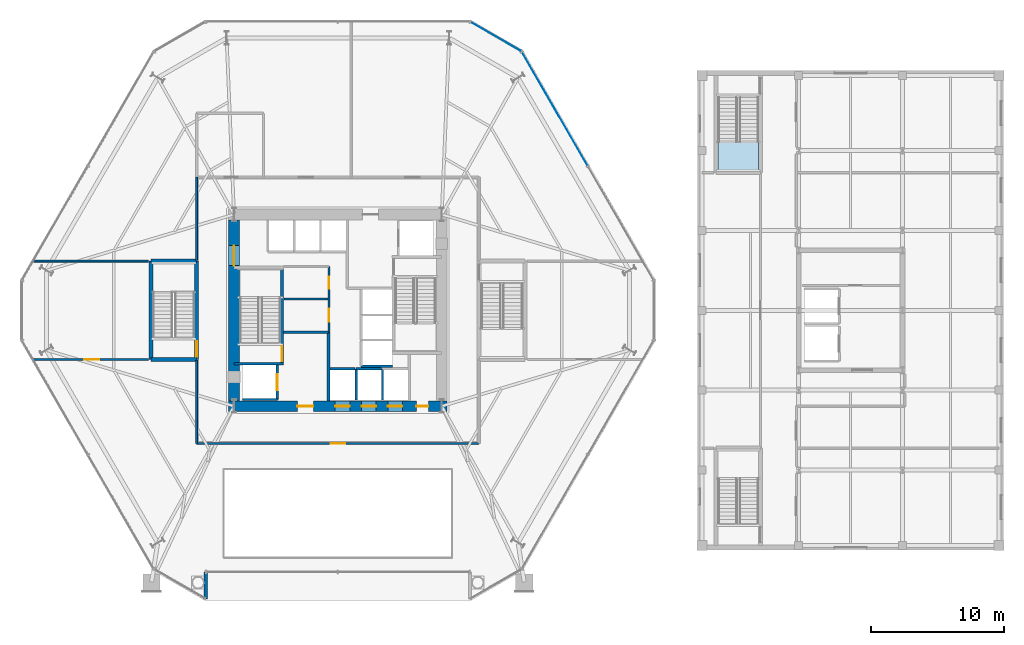
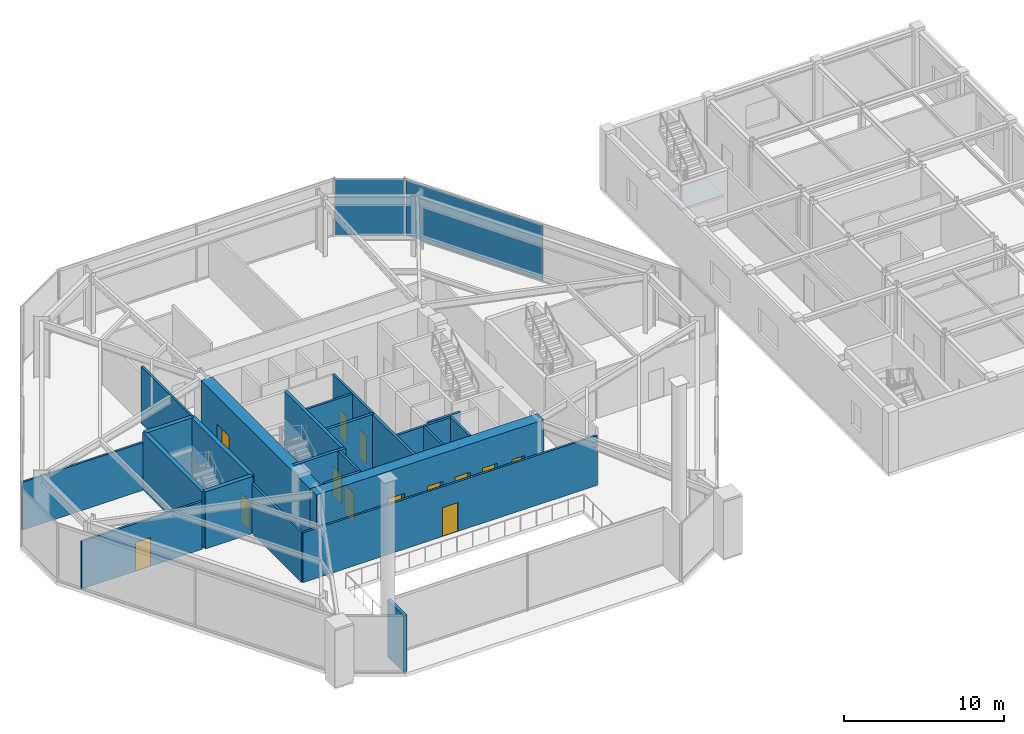
# One storey, part 15 of 22: 25 walls, 13 doors, 2 plates, 1 slab, 13 openings, 3 elements without a shape of their own.
"""IFC4 building model written with IfcOpenShell, lengths in metres."""

from ifc_helpers import new_model, si_unit, direction, frame, frame_2d, origin, origin_2d, place, context, subcontext, project, spatial, polyline, rectangle, outline, extrude, material, layer, layer_set, type_object, element, fill, aggregate, save


model = new_model("IFC4")

# Units and contexts
model_context = context("Model", 3, precision=1e-05, world=origin(), true_north=direction((0.0, 1.0)))
body_context = subcontext(model_context, "Body", "Model", "MODEL_VIEW")
ifc_project = project(units=[si_unit("LENGTHUNIT", "METRE"), si_unit("AREAUNIT", "SQUARE_METRE"), si_unit("VOLUMEUNIT", "CUBIC_METRE"), si_unit("PLANEANGLEUNIT", "RADIAN"), si_unit("MASSUNIT", "GRAM", prefix="KILO")], contexts=[model_context])

# Site, building, storey
site_placement = place(None, origin())
site = spatial("IfcSite", under=ifc_project, at=site_placement, CompositionType="ELEMENT")
building_placement = place(site_placement, origin())
building = spatial("IfcBuilding", under=site, at=building_placement, Name="Kranzbogen Civic Tower", CompositionType="ELEMENT")
storey_placement = place(building_placement, frame((0.0, 0.0, 5.199951171875)))
storey = spatial("IfcBuildingStorey", under=building, at=storey_placement, Name="L01", CompositionType="ELEMENT", Elevation=5.199951171875)

# Curtain wall, plate
ifc_material_1 = material(Name="Pale Anodised Aluminium", Category="aluminium")
ifc_layer_1 = layer(ifc_material_1, 0.219970703125, Name="Pale Anodised Aluminium")
ifc_layer_set_1 = layer_set([ifc_layer_1], Name="Pale Anodised Aluminium")
curtain_wall_type_1 = type_object("IfcCurtainWallType", Name="Chamfer Facet Stick Curtain Wall System CW-06", PredefinedType="USERDEFINED", material=ifc_layer_set_1)
curtain_wall_1_placement = place(storey_placement, origin())
curtain_wall_1 = element("IfcCurtainWall", 1, at=curtain_wall_1_placement, inside=storey, type_object=curtain_wall_type_1, Name="L01 curtain wall CW-L01-C1", ObjectType="STICK CURTAIN WALL", PredefinedType="USERDEFINED")
ifc_material_2 = material(Name="Low-E Triple Glazing Glass", Category="glass")
ifc_layer_2 = layer(ifc_material_2, 0.02587890625, Name="Low-E Triple Glazing Glass")
ifc_layer_set_2 = layer_set([ifc_layer_2], Name="Low-E Triple Glazing Glass")
plate_type_1 = type_object("IfcPlateType", Name="Insulated Low-E Glazing Panel 26 mm", PredefinedType="CURTAIN_PANEL", material=ifc_layer_set_2)
plate_1_placement = place(storey_placement, frame((36.866943359375, 45.554443359375, 0.06005859375), z_axis=(0.0, 0.0, 1.0), x_axis=(-0.865992001897, 0.500057849305, 0.0)))
plate_1 = element("IfcPlate", 2, at=plate_1_placement, type_object=plate_type_1, Name="CW-06 panel 1.1", PredefinedType="CURTAIN_PANEL", context=body_context, shape_type="SweptSolid", body=[
    extrude(rectangle(XDim=4.353515625, YDim=0.028076171875, at=origin_2d()), origin(), (0.0, 0.0, 1.0), 4.219970703125),
])
aggregate(curtain_wall_1, [plate_1])

ifc_layer_3 = layer(ifc_material_1, 0.219970703125, Name="Pale Anodised Aluminium")
ifc_layer_set_3 = layer_set([ifc_layer_3], Name="Pale Anodised Aluminium")
curtain_wall_type_2 = type_object("IfcCurtainWallType", Name="Podium Stick Curtain Wall System CW-01", PredefinedType="USERDEFINED", material=ifc_layer_set_3)
curtain_wall_2_placement = place(storey_placement, origin())
curtain_wall_2 = element("IfcCurtainWall", 3, at=curtain_wall_2_placement, inside=storey, type_object=curtain_wall_type_2, Name="L01 curtain wall CW-L01-F1", ObjectType="STICK CURTAIN WALL", PredefinedType="USERDEFINED")
ifc_layer_4 = layer(ifc_material_2, 0.035888671875, Name="Low-E Triple Glazing Glass")
ifc_layer_set_4 = layer_set([ifc_layer_4], Name="Low-E Triple Glazing Glass")
plate_type_2 = type_object("IfcPlateType", Name="Insulated Low-E Glazing Panel 36 mm", PredefinedType="CURTAIN_PANEL", material=ifc_layer_set_4)
plate_2_placement = place(storey_placement, frame((41.2939453125, 40.123291015625, 0.06005859375), z_axis=(0.0, 0.0, 1.0), x_axis=(-0.500005767433, 0.86602207393, 0.0)))
plate_2 = element("IfcPlate", 4, at=plate_2_placement, type_object=plate_type_2, Name="CW-01 panel 2.1", PredefinedType="CURTAIN_PANEL", context=body_context, shape_type="SweptSolid", body=[
    extrude(rectangle(XDim=9.83984375, YDim=0.028076171875, at=origin_2d()), origin(), (0.0, 0.0, 1.0), 4.219970703125),
])
aggregate(curtain_wall_2, [plate_2])

# Stair, slab
ifc_material_3 = material(Name="Precast concrete C40/50", Category="concrete")
stair_type = type_object("IfcStairType", Name="Health Centre Escape Dogleg Stair 1450", PredefinedType="HALF_TURN_STAIR", material=ifc_material_3)
stair_placement = place(storey_placement, origin())
stair = element("IfcStair", 5, at=stair_placement, inside=storey, type_object=stair_type, Name="L01 Health Centre Escape Stair 2", PredefinedType="HALF_TURN_STAIR")
ifc_layer_5 = layer(ifc_material_3, 0.199951171875, Name="Precast concrete C40/50")
ifc_layer_set_5 = layer_set([ifc_layer_5], Name="Precast concrete C40/50")
slab_type = type_object("IfcSlabType", Name="Precast Concrete Stair Landing Slab 200 mm", PredefinedType="LANDING", material=ifc_layer_set_5)
slab_placement = place(storey_placement, frame((0.0, 0.0, 2.10009765625)))
slab = element("IfcSlab", 6, at=slab_placement, type_object=slab_type, Name="ST-H2 landing 1", PredefinedType="LANDING", context=body_context, shape_type="SweptSolid", body=[
    extrude(outline(polyline([(53.550048828125, 37.639892578125), (53.550048828125, 35.5), (56.60009765625, 35.5), (56.60009765625, 37.639892578125), (53.550048828125, 37.639892578125)])), origin(), (0.0, 0.0, 1.0), 0.199951171875),
])
aggregate(stair, [slab])

# Wall, opening, door
ifc_material_4 = material(Name="Double-Stud Acoustic Gypsum Partition")
ifc_layer_6 = layer(ifc_material_4, 0.14990234375, Name="Double-Stud Acoustic Gypsum Partition")
ifc_layer_set_6 = layer_set([ifc_layer_6], Name="Double-Stud Acoustic Gypsum Partition")
wall_type_1 = type_object("IfcWallType", Name="Acoustic Corridor and Clinical Partition 150 mm", PredefinedType="PARTITIONING", material=ifc_layer_set_6)
wall_1_placement = place(storey_placement, frame((14.39990234375, 15.0, 0.0), z_axis=(0.0, 0.0, 1.0), x_axis=(1.0, 0.0, 0.0)))
wall_1 = element("IfcWall", 7, at=wall_1_placement, inside=storey, type_object=wall_type_1, Name="L01 podium concourse S wall", PredefinedType="PARTITIONING", context=body_context, shape_type="SweptSolid", body=[
    extrude(rectangle(XDim=21.2001953125, YDim=0.14990234375, at=frame_2d((10.60009765625, 0.0))), origin(), (0.0, 0.0, 1.0), 3.7900390625),
])
opening_1_placement = place(wall_1_placement, frame((10.050048828125, 0.0, 0.0)))
opening_1 = element("IfcOpeningElement", 8, at=opening_1_placement, cuts=wall_1, Name="Opening D-COR60", PredefinedType="OPENING", context=body_context, shape_type="SweptSolid", body=[
    extrude(rectangle(XDim=1.10009765625, YDim=2.199951171875, at=frame_2d((0.550048828125, 1.10009765625))), frame((0.0, 0.0849609375, 0.0), z_axis=(0.0, -1.0, 0.0), x_axis=(1.0, 0.0, 0.0)), (0.0, 0.0, 1.0), 0.169921875),
])
ifc_material_5 = material(Name="Oak Timber and Fire Core", Category="wood")
door_type_1 = type_object("IfcDoorType", Name="Corridor Acoustic Fire Door 1100x2200", OperationType="NOTDEFINED", PredefinedType="DOOR", material=ifc_material_5)
door_1_placement = place(opening_1_placement, origin())
door_1 = element("IfcDoor", 9, at=door_1_placement, inside=storey, type_object=door_type_1, Name="L01 Passport and Licensing Hall door", OperationType="SINGLE_SWING_RIGHT", OverallHeight=2.199951171875, OverallWidth=1.10009765625, PredefinedType="DOOR", context=body_context, shape_type="SweptSolid", body=[
    extrude(rectangle(XDim=1.10009765625, YDim=2.199951171875, at=frame_2d((0.550048828125, 1.10009765625))), frame((0.0, 0.02490234375, 0.0), z_axis=(0.0, -1.0, 0.0), x_axis=(1.0, 0.0, 0.0)), (0.0, 0.0, 1.0), 0.050048828125),
])
fill(opening_1, door_1)

# Walls
wall_2_placement = place(storey_placement, frame((14.39990234375, 15.0, 0.0), z_axis=(0.0, 0.0, 1.0), x_axis=(0.0, 1.0, 0.0)))
element("IfcWall", 10, at=wall_2_placement, inside=storey, type_object=wall_type_1, Name="L01 podium concourse W1 wall", PredefinedType="PARTITIONING", context=body_context, shape_type="SweptSolid", body=[
    extrude(rectangle(XDim=6.25, YDim=0.14990234375, at=frame_2d((3.125, 0.0))), origin(), (0.0, 0.0, 1.0), 3.7900390625),
])
wall_3_placement = place(storey_placement, frame((14.39990234375, 28.75, 0.0), z_axis=(0.0, 0.0, 1.0), x_axis=(0.0, 1.0, 0.0)))
element("IfcWall", 11, at=wall_3_placement, inside=storey, type_object=wall_type_1, Name="L01 podium concourse W2 wall", PredefinedType="PARTITIONING", context=body_context, shape_type="SweptSolid", body=[
    extrude(rectangle(XDim=6.25, YDim=0.14990234375, at=frame_2d((3.125, 0.0))), origin(), (0.0, 0.0, 1.0), 4.340087890625),
])

# Wall, opening, door
wall_4_placement = place(storey_placement, frame((2.080078125, 21.300048828125, 0.0), z_axis=(0.0, 0.0, 1.0), x_axis=(1.0, 0.0, 0.0)))
wall_4 = element("IfcWall", 12, at=wall_4_placement, inside=storey, type_object=wall_type_1, Name="L01 podium partition 04", PredefinedType="PARTITIONING", context=body_context, shape_type="SweptSolid", body=[
    extrude(rectangle(XDim=8.68994140625, YDim=0.14990234375, at=frame_2d((4.344970703125, 0.0))), origin(), (0.0, 0.0, 1.0), 3.64013671875),
])
opening_2_placement = place(wall_4_placement, frame((3.884033203125, 0.0, 0.0)))
opening_2 = element("IfcOpeningElement", 13, at=opening_2_placement, cuts=wall_4, Name="Opening D-COR60", PredefinedType="OPENING", context=body_context, shape_type="SweptSolid", body=[
    extrude(rectangle(XDim=1.10009765625, YDim=2.199951171875, at=frame_2d((0.550048828125, 1.10009765625))), frame((0.0, 0.0849609375, 0.0), z_axis=(0.0, -1.0, 0.0), x_axis=(1.0, 0.0, 0.0)), (0.0, 0.0, 1.0), 0.169921875),
])
door_2_placement = place(opening_2_placement, origin())
door_2 = element("IfcDoor", 14, at=door_2_placement, inside=storey, type_object=door_type_1, Name="L01 Staff Catering Lounge door", OperationType="SINGLE_SWING_LEFT", OverallHeight=2.199951171875, OverallWidth=1.10009765625, PredefinedType="DOOR", context=body_context, shape_type="SweptSolid", body=[
    extrude(rectangle(XDim=1.10009765625, YDim=2.199951171875, at=frame_2d((0.550048828125, 1.10009765625))), frame((0.0, 0.02490234375, 0.0), z_axis=(0.0, -1.0, 0.0), x_axis=(1.0, 0.0, 0.0)), (0.0, 0.0, 1.0), 0.050048828125),
])
fill(opening_2, door_2)

# Wall
wall_5_placement = place(storey_placement, frame((2.080078125, 28.699951171875, 0.0), z_axis=(0.0, 0.0, 1.0), x_axis=(1.0, 0.0, 0.0)))
element("IfcWall", 15, at=wall_5_placement, inside=storey, type_object=wall_type_1, Name="L01 podium partition 05", PredefinedType="PARTITIONING", context=body_context, shape_type="SweptSolid", body=[
    extrude(rectangle(XDim=8.68994140625, YDim=0.14990234375, at=frame_2d((4.344970703125, 0.0))), origin(), (0.0, 0.0, 1.0), 3.64013671875),
])

# Wall, openings, doors
ifc_material_6 = material(Name="Concrete C55/67", Category="concrete")
ifc_layer_7 = layer(ifc_material_6, 0.800048828125, Name="Concrete C55/67")
ifc_layer_set_7 = layer_set([ifc_layer_7], Name="Concrete C55/67")
wall_type_2 = type_object("IfcWallType", Name="Central Core Shear Wall 800 mm", PredefinedType="SHEAR", material=ifc_layer_set_7)
wall_6_placement = place(storey_placement, frame((16.800048828125, 17.800048828125, 0.0), z_axis=(0.0, 0.0, 1.0), x_axis=(1.0, 0.0, 0.0)))
wall_6 = element("IfcWall", 16, at=wall_6_placement, inside=storey, type_object=wall_type_2, Name="L01 central core South shear wall", PredefinedType="SHEAR", context=body_context, shape_type="SweptSolid", body=[
    extrude(rectangle(XDim=16.39990234375, YDim=0.800048828125, at=frame_2d((8.199951171875, 0.0))), origin(), (0.0, 0.0, 1.0), 4.340087890625),
])
opening_3_placement = place(wall_6_placement, frame((5.14990234375, 0.0, 0.0)))
opening_3 = element("IfcOpeningElement", 17, at=opening_3_placement, cuts=wall_6, Name="Opening D-EX120", PredefinedType="OPENING", context=body_context, shape_type="SweptSolid", body=[
    extrude(rectangle(XDim=1.199951171875, YDim=2.25, at=frame_2d((0.60009765625, 1.125))), frame((0.0, 0.41015625, 0.0), z_axis=(0.0, -1.0, 0.0), x_axis=(1.0, 0.0, 0.0)), (0.0, 0.0, 1.0), 0.820068359375),
])
opening_4_placement = place(wall_6_placement, frame((14.10009765625, 0.0, 0.0)))
opening_4 = element("IfcOpeningElement", 18, at=opening_4_placement, cuts=wall_6, Name="Opening D-WC90", PredefinedType="OPENING", context=body_context, shape_type="SweptSolid", body=[
    extrude(rectangle(XDim=0.89990234375, YDim=2.10009765625, at=frame_2d((0.449951171875, 1.050048828125))), frame((0.0, 0.41015625, 0.0), z_axis=(0.0, -1.0, 0.0), x_axis=(1.0, 0.0, 0.0)), (0.0, 0.0, 1.0), 0.820068359375),
])
opening_5_placement = place(wall_6_placement, frame((8.0, 0.0, 0.0)))
opening_5 = element("IfcOpeningElement", 19, at=opening_5_placement, cuts=wall_6, Name="Opening LD-LP-01", PredefinedType="OPENING", context=body_context, shape_type="SweptSolid", body=[
    extrude(rectangle(XDim=1.10009765625, YDim=2.199951171875, at=frame_2d((0.550048828125, 1.10009765625))), frame((0.0, 0.41015625, 0.0), z_axis=(0.0, -1.0, 0.0), x_axis=(1.0, 0.0, 0.0)), (0.0, 0.0, 1.0), 0.820068359375),
])
opening_6_placement = place(wall_6_placement, frame((9.97509765625, 0.0, 0.0)))
opening_6 = element("IfcOpeningElement", 20, at=opening_6_placement, cuts=wall_6, Name="Opening LD-LP-02", PredefinedType="OPENING", context=body_context, shape_type="SweptSolid", body=[
    extrude(rectangle(XDim=1.10009765625, YDim=2.199951171875, at=frame_2d((0.550048828125, 1.10009765625))), frame((0.0, 0.41015625, 0.0), z_axis=(0.0, -1.0, 0.0), x_axis=(1.0, 0.0, 0.0)), (0.0, 0.0, 1.0), 0.820068359375),
])
opening_7_placement = place(wall_6_placement, frame((11.949951171875, 0.0, 0.0)))
opening_7 = element("IfcOpeningElement", 21, at=opening_7_placement, cuts=wall_6, Name="Opening LD-LP-03", PredefinedType="OPENING", context=body_context, shape_type="SweptSolid", body=[
    extrude(rectangle(XDim=1.10009765625, YDim=2.199951171875, at=frame_2d((0.550048828125, 1.10009765625))), frame((0.0, 0.41015625, 0.0), z_axis=(0.0, -1.0, 0.0), x_axis=(1.0, 0.0, 0.0)), (0.0, 0.0, 1.0), 0.820068359375),
])
ifc_material_7 = material(Name="Steel S355", Category="steel")
door_type_2 = type_object("IfcDoorType", Name="Exit Passageway Fire Door 1200x2250", OperationType="NOTDEFINED", PredefinedType="DOOR", material=ifc_material_7)
door_3_placement = place(opening_3_placement, origin())
door_3 = element("IfcDoor", 22, at=door_3_placement, inside=storey, type_object=door_type_2, Name="L01 West firefighting lobby corridor door", OperationType="SINGLE_SWING_LEFT", OverallHeight=2.25, OverallWidth=1.199951171875, PredefinedType="DOOR", context=body_context, shape_type="SweptSolid", body=[
    extrude(rectangle(XDim=1.199951171875, YDim=2.25, at=frame_2d((0.60009765625, 1.125))), frame((0.0, 0.02490234375, 0.0), z_axis=(0.0, -1.0, 0.0), x_axis=(1.0, 0.0, 0.0)), (0.0, 0.0, 1.0), 0.050048828125),
])
fill(opening_3, door_3)
door_type_3 = type_object("IfcDoorType", Name="Passenger Lift Sliding Landing Door 1100x2200", OperationType="DOUBLE_DOOR_SLIDING", PredefinedType="DOOR", material=ifc_material_1)
door_4_placement = place(opening_5_placement, origin())
door_4 = element("IfcDoor", 23, at=door_4_placement, inside=storey, type_object=door_type_3, Name="L01 lift LP-01 sliding landing door", OperationType="DOUBLE_DOOR_SLIDING", OverallHeight=2.199951171875, OverallWidth=1.10009765625, PredefinedType="DOOR", context=body_context, shape_type="SweptSolid", body=[
    extrude(rectangle(XDim=1.10009765625, YDim=2.199951171875, at=frame_2d((0.550048828125, 1.10009765625))), frame((0.0, 0.02490234375, 0.0), z_axis=(0.0, -1.0, 0.0), x_axis=(1.0, 0.0, 0.0)), (0.0, 0.0, 1.0), 0.050048828125),
])
fill(opening_5, door_4)
door_5_placement = place(opening_6_placement, origin())
door_5 = element("IfcDoor", 24, at=door_5_placement, inside=storey, type_object=door_type_3, Name="L01 lift LP-02 sliding landing door", OperationType="DOUBLE_DOOR_SLIDING", OverallHeight=2.199951171875, OverallWidth=1.10009765625, PredefinedType="DOOR", context=body_context, shape_type="SweptSolid", body=[
    extrude(rectangle(XDim=1.10009765625, YDim=2.199951171875, at=frame_2d((0.550048828125, 1.10009765625))), frame((0.0, 0.02490234375, 0.0), z_axis=(0.0, -1.0, 0.0), x_axis=(1.0, 0.0, 0.0)), (0.0, 0.0, 1.0), 0.050048828125),
])
fill(opening_6, door_5)
door_6_placement = place(opening_7_placement, origin())
door_6 = element("IfcDoor", 25, at=door_6_placement, inside=storey, type_object=door_type_3, Name="L01 lift LP-03 sliding landing door", OperationType="DOUBLE_DOOR_SLIDING", OverallHeight=2.199951171875, OverallWidth=1.10009765625, PredefinedType="DOOR", context=body_context, shape_type="SweptSolid", body=[
    extrude(rectangle(XDim=1.10009765625, YDim=2.199951171875, at=frame_2d((0.550048828125, 1.10009765625))), frame((0.0, 0.02490234375, 0.0), z_axis=(0.0, -1.0, 0.0), x_axis=(1.0, 0.0, 0.0)), (0.0, 0.0, 1.0), 0.050048828125),
])
fill(opening_7, door_6)
ifc_material_8 = material(Name="Moisture-Resistant Laminate")
door_type_4 = type_object("IfcDoorType", Name="Standard Restroom and Store Door 900x2100", OperationType="NOTDEFINED", PredefinedType="DOOR", material=ifc_material_8)
door_7_placement = place(opening_4_placement, origin())
door_7 = element("IfcDoor", 26, at=door_7_placement, inside=storey, type_object=door_type_4, Name="L01 East electrical riser access door", OperationType="SINGLE_SWING_LEFT", OverallHeight=2.10009765625, OverallWidth=0.89990234375, PredefinedType="DOOR", context=body_context, shape_type="SweptSolid", body=[
    extrude(rectangle(XDim=0.89990234375, YDim=2.10009765625, at=frame_2d((0.449951171875, 1.050048828125))), frame((0.0, 0.02490234375, 0.0), z_axis=(0.0, -1.0, 0.0), x_axis=(1.0, 0.0, 0.0)), (0.0, 0.0, 1.0), 0.050048828125),
])
fill(opening_4, door_7)

# Wall, opening, door
wall_7_placement = place(storey_placement, frame((17.199951171875, 31.800048828125, 0.0), z_axis=(0.0, 0.0, 1.0), x_axis=(0.0, -1.0, 0.0)))
wall_7 = element("IfcWall", 27, at=wall_7_placement, inside=storey, type_object=wall_type_2, Name="L01 central core West shear wall", PredefinedType="SHEAR", context=body_context, shape_type="SweptSolid", body=[
    extrude(rectangle(XDim=13.60009765625, YDim=0.800048828125, at=frame_2d((6.800048828125, 0.0))), origin(), (0.0, 0.0, 1.0), 4.340087890625),
])
opening_8_placement = place(wall_7_placement, frame((1.949951171875, 0.0, 0.0)))
opening_8 = element("IfcOpeningElement", 28, at=opening_8_placement, cuts=wall_7, Name="Opening D-DBL15", PredefinedType="OPENING", context=body_context, shape_type="SweptSolid", body=[
    extrude(rectangle(XDim=1.5, YDim=2.199951171875, at=frame_2d((0.75, 1.10009765625))), frame((0.0, 0.41015625, 0.0), z_axis=(0.0, -1.0, 0.0), x_axis=(1.0, 0.0, 0.0)), (0.0, 0.0, 1.0), 0.820068359375),
])
ifc_material_9 = material(Name="Anodised Bronze and Glass", Category="glass")
door_type_5 = type_object("IfcDoorType", Name="Civic Lobby Double Door 1500x2200", OperationType="DOUBLE_DOOR_SINGLE_SWING", PredefinedType="DOOR", material=ifc_material_9)
door_8_placement = place(opening_8_placement, origin())
door_8 = element("IfcDoor", 29, at=door_8_placement, inside=storey, type_object=door_type_5, Name="L01 Central Lift Lobby West concourse door", OperationType="DOUBLE_DOOR_SINGLE_SWING", OverallHeight=2.199951171875, OverallWidth=1.5, PredefinedType="DOOR", context=body_context, shape_type="SweptSolid", body=[
    extrude(rectangle(XDim=1.5, YDim=2.199951171875, at=frame_2d((0.75, 1.10009765625))), frame((0.0, 0.02490234375, 0.0), z_axis=(0.0, -1.0, 0.0), x_axis=(1.0, 0.0, 0.0)), (0.0, 0.0, 1.0), 0.050048828125),
])
fill(opening_8, door_8)

ifc_material_10 = material(Name="Concrete C45/55", Category="concrete")
ifc_layer_8 = layer(ifc_material_10, 0.219970703125, Name="Concrete C45/55")
ifc_layer_set_8 = layer_set([ifc_layer_8], Name="Concrete C45/55")
wall_type_3 = type_object("IfcWallType", Name="Core Internal Stair Structural Wall 220 mm", PredefinedType="SOLIDWALL", material=ifc_layer_set_8)
wall_8_placement = place(storey_placement, frame((20.81005859375, 20.989990234375, 0.0), z_axis=(0.0, 0.0, 1.0), x_axis=(0.0, 1.0, 0.0)))
wall_8 = element("IfcWall", 30, at=wall_8_placement, inside=storey, type_object=wall_type_3, Name="L01 ST-T1 East structural stair wall", PredefinedType="SOLIDWALL", context=body_context, shape_type="SweptSolid", body=[
    extrude(rectangle(XDim=7.219970703125, YDim=0.219970703125, at=frame_2d((3.60986328125, 0.0))), origin(), (0.0, 0.0, 1.0), 4.340087890625),
])
opening_9_placement = place(wall_8_placement, frame((0.179931640625, 0.0, 0.0)))
opening_9 = element("IfcOpeningElement", 31, at=opening_9_placement, cuts=wall_8, Name="Opening D-ST90", PredefinedType="OPENING", context=body_context, shape_type="SweptSolid", body=[
    extrude(rectangle(XDim=1.14990234375, YDim=2.199951171875, at=frame_2d((0.574951171875, 1.10009765625))), frame((0.0, 0.1201171875, 0.0), z_axis=(0.0, -1.0, 0.0), x_axis=(1.0, 0.0, 0.0)), (0.0, 0.0, 1.0), 0.239990234375),
])
door_type_6 = type_object("IfcDoorType", Name="Pressurized Stair and Lobby Fire Door 1150x2200", OperationType="NOTDEFINED", PredefinedType="DOOR", material=ifc_material_7)
door_9_placement = place(opening_9_placement, origin())
door_9 = element("IfcDoor", 32, at=door_9_placement, inside=storey, type_object=door_type_6, Name="L01 Stair ST-T1 fire door", OperationType="SINGLE_SWING_LEFT", OverallHeight=2.199951171875, OverallWidth=1.14990234375, PredefinedType="DOOR", context=body_context, shape_type="SweptSolid", body=[
    extrude(rectangle(XDim=1.14990234375, YDim=2.199951171875, at=frame_2d((0.574951171875, 1.10009765625))), frame((0.0, 0.02490234375, 0.0), z_axis=(0.0, -1.0, 0.0), x_axis=(1.0, 0.0, 0.0)), (0.0, 0.0, 1.0), 0.050048828125),
])
fill(opening_9, door_9)

# Walls
wall_9_placement = place(storey_placement, frame((17.199951171875, 20.989990234375, 0.0), z_axis=(0.0, 0.0, 1.0), x_axis=(1.0, 0.0, 0.0)))
element("IfcWall", 33, at=wall_9_placement, inside=storey, type_object=wall_type_3, Name="L01 ST-T1 South structural stair wall", PredefinedType="SOLIDWALL", context=body_context, shape_type="SweptSolid", body=[
    extrude(rectangle(XDim=3.719970703125, YDim=0.219970703125, at=frame_2d((1.85986328125, 0.0))), origin(), (0.0, 0.0, 1.0), 4.340087890625),
])
ifc_material_11 = material(Name="Gypsum Fireboard and Concrete Block", Category="concrete")
ifc_layer_9 = layer(ifc_material_11, 0.199951171875, Name="Gypsum Fireboard and Concrete Block")
ifc_layer_set_9 = layer_set([ifc_layer_9], Name="Gypsum Fireboard and Concrete Block")
wall_type_4 = type_object("IfcWallType", Name="Fire-Rated Exit Passageway and Stair Wall 200 mm", PredefinedType="PARTITIONING", material=ifc_layer_set_9)
wall_10_placement = place(storey_placement, frame((24.300048828125, 18.199951171875, 0.0), z_axis=(0.0, 0.0, 1.0), x_axis=(0.0, 1.0, 0.0)))
element("IfcWall", 34, at=wall_10_placement, inside=storey, type_object=wall_type_4, Name="L01 West firefighting lobby East wall", PredefinedType="PARTITIONING", context=body_context, shape_type="SweptSolid", body=[
    extrude(rectangle(XDim=5.150146484375, YDim=0.199951171875, at=frame_2d((2.5751953125, 0.0))), origin(), (0.0, 0.0, 1.0), 4.340087890625),
])
wall_11_placement = place(storey_placement, frame((20.919921875, 23.35009765625, 0.0), z_axis=(0.0, 0.0, 1.0), x_axis=(1.0, 0.0, 0.0)))
element("IfcWall", 35, at=wall_11_placement, inside=storey, type_object=wall_type_4, Name="L01 West firefighting lobby North wall", PredefinedType="PARTITIONING", context=body_context, shape_type="SweptSolid", body=[
    extrude(rectangle(XDim=3.380126953125, YDim=0.199951171875, at=frame_2d((1.68994140625, 0.0))), origin(), (0.0, 0.0, 1.0), 4.340087890625),
])
ifc_material_12 = material(Name="Gypsum Fireboard Shaftliner")
ifc_layer_10 = layer(ifc_material_12, 0.175048828125, Name="Gypsum Fireboard Shaftliner")
ifc_layer_set_10 = layer_set([ifc_layer_10], Name="Gypsum Fireboard Shaftliner")
wall_type_5 = type_object("IfcWallType", Name="Fire-Rated Lift and Service Shaft Wall 175 mm", PredefinedType="PARTITIONING", material=ifc_layer_set_10)
wall_12_placement = place(storey_placement, frame((24.39990234375, 20.60009765625, 0.0), z_axis=(0.0, 0.0, 1.0), x_axis=(1.0, 0.0, 0.0)))
element("IfcWall", 36, at=wall_12_placement, inside=storey, type_object=wall_type_5, Name="L01 lift LP-01 rear wall", PredefinedType="PARTITIONING", context=body_context, shape_type="SweptSolid", body=[
    extrude(rectangle(XDim=1.900146484375, YDim=0.175048828125, at=frame_2d((0.9501953125, 0.0))), origin(), (0.0, 0.0, 1.0), 4.340087890625),
])
wall_13_placement = place(storey_placement, frame((26.375, 20.60009765625, 0.0), z_axis=(0.0, 0.0, 1.0), x_axis=(1.0, 0.0, 0.0)))
element("IfcWall", 37, at=wall_13_placement, inside=storey, type_object=wall_type_5, Name="L01 lift LP-02 rear wall", PredefinedType="PARTITIONING", context=body_context, shape_type="SweptSolid", body=[
    extrude(rectangle(XDim=1.89990234375, YDim=0.175048828125, at=frame_2d((0.949951171875, 0.0))), origin(), (0.0, 0.0, 1.0), 4.340087890625),
])
for number, where, z_axis, x_axis, name in (
    (38, (26.375, 18.25, 0.0), (0.0, 0.0, 1.0), (0.0, 1.0, 0.0), "L01 lift LP-02 side wall"),
    (39, (28.35009765625, 18.25, 0.0), (0.0, 0.0, 1.0), (0.0, 1.0, 0.0), "L01 lift LP-03 side wall"),
    (40, (26.75, 20.800048828125, 0.0), (0.0, 0.0, 1.0), (1.0, 0.0, 0.0), "L01 lift HP-01 side wall"),
):
    element("IfcWall", number, at=place(storey_placement, frame(where, z_axis=z_axis, x_axis=x_axis)), inside=storey, type_object=wall_type_5, Name=name, PredefinedType="PARTITIONING", context=body_context, shape_type="SweptSolid", body=[
        extrude(rectangle(XDim=2.35009765625, YDim=0.175048828125, at=frame_2d((1.175048828125, 0.0))), origin(), (0.0, 0.0, 1.0), 4.340087890625),
    ])

# Wall, opening, door
wall_14_placement = place(storey_placement, frame((20.449951171875, 18.300048828125, 0.0), z_axis=(0.0, 0.0, 1.0), x_axis=(0.0, 1.0, 0.0)))
wall_14 = element("IfcWall", 41, at=wall_14_placement, inside=storey, type_object=wall_type_5, Name="L01 lift FF-01 landing wall", PredefinedType="PARTITIONING", context=body_context, shape_type="SweptSolid", body=[
    extrude(rectangle(XDim=2.599853515625, YDim=0.175048828125, at=frame_2d((1.2998046875, 0.0))), origin(), (0.0, 0.0, 1.0), 4.340087890625),
])
opening_10_placement = place(wall_14_placement, frame((0.699951171875, 0.0, 0.0)))
opening_10 = element("IfcOpeningElement", 42, at=opening_10_placement, cuts=wall_14, Name="Opening LD-FF-01", PredefinedType="OPENING", context=body_context, shape_type="SweptSolid", body=[
    extrude(rectangle(XDim=1.199951171875, YDim=2.199951171875, at=frame_2d((0.60009765625, 1.10009765625))), frame((0.0, 0.09765625, 0.0), z_axis=(0.0, -1.0, 0.0), x_axis=(1.0, 0.0, 0.0)), (0.0, 0.0, 1.0), 0.195068359375),
])
door_type_7 = type_object("IfcDoorType", Name="Firefighting and Stretcher Lift Sliding Landing Door 1200x2200", OperationType="DOUBLE_DOOR_SLIDING", PredefinedType="DOOR", material=ifc_material_1)
door_10_placement = place(opening_10_placement, origin())
door_10 = element("IfcDoor", 43, at=door_10_placement, inside=storey, type_object=door_type_7, Name="L01 lift FF-01 sliding landing door", OperationType="DOUBLE_DOOR_SLIDING", OverallHeight=2.199951171875, OverallWidth=1.199951171875, PredefinedType="DOOR", context=body_context, shape_type="SweptSolid", body=[
    extrude(rectangle(XDim=1.199951171875, YDim=2.199951171875, at=frame_2d((0.60009765625, 1.10009765625))), frame((0.0, 0.02490234375, 0.0), z_axis=(0.0, -1.0, 0.0), x_axis=(1.0, 0.0, 0.0)), (0.0, 0.0, 1.0), 0.050048828125),
])
fill(opening_10, door_10)

# Walls
wall_15_placement = place(storey_placement, frame((17.85009765625, 18.300048828125, 0.0), z_axis=(0.0, 0.0, 1.0), x_axis=(1.0, 0.0, 0.0)))
element("IfcWall", 44, at=wall_15_placement, inside=storey, type_object=wall_type_5, Name="L01 lift FF-01 side wall", PredefinedType="PARTITIONING", context=body_context, shape_type="SweptSolid", body=[
    extrude(rectangle(XDim=2.599853515625, YDim=0.175048828125, at=frame_2d((1.2998046875, 0.0))), origin(), (0.0, 0.0, 1.0), 4.340087890625),
])
ifc_layer_11 = layer(ifc_material_1, 0.239990234375, Name="Pale Anodised Aluminium")
ifc_layer_set_11 = layer_set([ifc_layer_11], Name="Pale Anodised Aluminium")
wall_type_6 = type_object("IfcWallType", Name="Insulated Aluminium Facade Portal Wall 240 mm", PredefinedType="STANDARD", material=ifc_layer_set_11)
wall_16_placement = place(storey_placement, frame((15.070068359375, 3.326904296875, 0.0), z_axis=(0.0, 0.0, 1.0), x_axis=(0.0, 1.0, 0.0)))
element("IfcWall", 45, at=wall_16_placement, inside=storey, type_object=wall_type_6, Name="L01 portal colonnade West return wall", PredefinedType="STANDARD", context=body_context, shape_type="SweptSolid", body=[
    extrude(rectangle(XDim=2.023193359375, YDim=0.239990234375, at=frame_2d((1.01171875, 0.0))), origin(), (0.0, 0.0, 1.0), 4.340087890625),
])

# Wall, openings, doors
ifc_material_13 = material(Name="Moisture-Resistant Gypsum Assembly")
ifc_layer_12 = layer(ifc_material_13, 0.159912109375, Name="Moisture-Resistant Gypsum Assembly")
ifc_layer_set_12 = layer_set([ifc_layer_12], Name="Moisture-Resistant Gypsum Assembly")
wall_type_7 = type_object("IfcWallType", Name="Sanitary and Plumbing Wet Wall 160 mm", PredefinedType="PLUMBINGWALL", material=ifc_layer_set_12)
wall_17_placement = place(storey_placement, frame((24.324951171875, 23.35009765625, 0.0), z_axis=(0.0, 0.0, 1.0), x_axis=(0.0, 1.0, 0.0)))
wall_17 = element("IfcWall", 46, at=wall_17_placement, inside=storey, type_object=wall_type_7, Name="L01 core auxiliary East wall", PredefinedType="PLUMBINGWALL", context=body_context, shape_type="SweptSolid", body=[
    extrude(rectangle(XDim=4.929931640625, YDim=0.159912109375, at=frame_2d((2.46484375, 0.0))), origin(), (0.0, 0.0, 1.0), 4.340087890625),
])
opening_11_placement = place(wall_17_placement, frame((0.800048828125, 0.0, 0.0)))
opening_11 = element("IfcOpeningElement", 47, at=opening_11_placement, cuts=wall_17, Name="Opening D-AWC95", PredefinedType="OPENING", context=body_context, shape_type="SweptSolid", body=[
    extrude(rectangle(XDim=0.949951171875, YDim=2.10009765625, at=frame_2d((0.47509765625, 1.050048828125))), frame((0.0, 0.08984375, 0.0), z_axis=(0.0, -1.0, 0.0), x_axis=(1.0, 0.0, 0.0)), (0.0, 0.0, 1.0), 0.179931640625),
])
opening_12_placement = place(wall_17_placement, frame((3.260009765625, 0.0, 0.0)))
opening_12 = element("IfcOpeningElement", 48, at=opening_12_placement, cuts=wall_17, Name="Opening D-WC90", PredefinedType="OPENING", context=body_context, shape_type="SweptSolid", body=[
    extrude(rectangle(XDim=0.89990234375, YDim=2.10009765625, at=frame_2d((0.449951171875, 1.050048828125))), frame((0.0, 0.08984375, 0.0), z_axis=(0.0, -1.0, 0.0), x_axis=(1.0, 0.0, 0.0)), (0.0, 0.0, 1.0), 0.179931640625),
])
door_type_8 = type_object("IfcDoorType", Name="Accessible Restroom Door 950x2100", OperationType="NOTDEFINED", PredefinedType="DOOR", material=ifc_material_8)
door_11_placement = place(opening_11_placement, origin())
door_11 = element("IfcDoor", 49, at=door_11_placement, inside=storey, type_object=door_type_8, Name="L01 Accessible Restroom door", OperationType="SINGLE_SWING_LEFT", OverallHeight=2.10009765625, OverallWidth=0.949951171875, PredefinedType="DOOR", context=body_context, shape_type="SweptSolid", body=[
    extrude(rectangle(XDim=0.949951171875, YDim=2.10009765625, at=frame_2d((0.47509765625, 1.050048828125))), frame((0.0, 0.02490234375, 0.0), z_axis=(0.0, -1.0, 0.0), x_axis=(1.0, 0.0, 0.0)), (0.0, 0.0, 1.0), 0.050048828125),
])
fill(opening_11, door_11)
door_12_placement = place(opening_12_placement, origin())
door_12 = element("IfcDoor", 50, at=door_12_placement, inside=storey, type_object=door_type_4, Name="L01 Staff Restroom door", OperationType="SINGLE_SWING_RIGHT", OverallHeight=2.10009765625, OverallWidth=0.89990234375, PredefinedType="DOOR", context=body_context, shape_type="SweptSolid", body=[
    extrude(rectangle(XDim=0.89990234375, YDim=2.10009765625, at=frame_2d((0.449951171875, 1.050048828125))), frame((0.0, 0.02490234375, 0.0), z_axis=(0.0, -1.0, 0.0), x_axis=(1.0, 0.0, 0.0)), (0.0, 0.0, 1.0), 0.050048828125),
])
fill(opening_12, door_12)

# Wall
wall_18_placement = place(storey_placement, frame((20.949951171875, 25.860107421875, 0.0), z_axis=(0.0, 0.0, 1.0), x_axis=(1.0, 0.0, 0.0)))
element("IfcWall", 51, at=wall_18_placement, inside=storey, type_object=wall_type_7, Name="L01 core auxiliary partition 1", PredefinedType="PLUMBINGWALL", context=body_context, shape_type="SweptSolid", body=[
    extrude(rectangle(XDim=3.300048828125, YDim=0.159912109375, at=frame_2d((1.64990234375, 0.0))), origin(), (0.0, 0.0, 1.0), 4.340087890625),
])

# Wall, opening, door
ifc_material_14 = material(Name="Concrete C40/50", Category="concrete")
ifc_layer_13 = layer(ifc_material_14, 0.300048828125, Name="Concrete C40/50")
ifc_layer_set_13 = layer_set([ifc_layer_13], Name="Concrete C40/50")
wall_type_8 = type_object("IfcWallType", Name="Structural Ramp and Stair Shaft Wall 300 mm", PredefinedType="SOLIDWALL", material=ifc_layer_set_13)
wall_19_placement = place(storey_placement, frame((14.39990234375, 21.300048828125, 0.0), z_axis=(0.0, 0.0, 1.0), x_axis=(0.0, 1.0, 0.0)))
wall_19 = element("IfcWall", 52, at=wall_19_placement, inside=storey, type_object=wall_type_8, Name="L01 STP1 E structural stair wall", PredefinedType="SOLIDWALL", context=body_context, shape_type="SweptSolid", body=[
    extrude(rectangle(XDim=7.39990234375, YDim=0.300048828125, at=frame_2d((3.699951171875, 0.0))), origin(), (0.0, 0.0, 1.0), 4.340087890625),
])
opening_13_placement = place(wall_19_placement, frame((0.219970703125, 0.0, 0.0)))
opening_13 = element("IfcOpeningElement", 53, at=opening_13_placement, cuts=wall_19, Name="Opening D-ST90", PredefinedType="OPENING", context=body_context, shape_type="SweptSolid", body=[
    extrude(rectangle(XDim=1.14990234375, YDim=2.199951171875, at=frame_2d((0.574951171875, 1.10009765625))), frame((0.0, 0.16015625, 0.0), z_axis=(0.0, -1.0, 0.0), x_axis=(1.0, 0.0, 0.0)), (0.0, 0.0, 1.0), 0.320068359375),
])
door_13_placement = place(opening_13_placement, origin())
door_13 = element("IfcDoor", 54, at=door_13_placement, inside=storey, type_object=door_type_6, Name="L01 Podium Stair 1 fire door", OperationType="SINGLE_SWING_LEFT", OverallHeight=2.199951171875, OverallWidth=1.14990234375, PredefinedType="DOOR", context=body_context, shape_type="SweptSolid", body=[
    extrude(rectangle(XDim=1.14990234375, YDim=2.199951171875, at=frame_2d((0.574951171875, 1.10009765625))), frame((0.0, 0.02490234375, 0.0), z_axis=(0.0, -1.0, 0.0), x_axis=(1.0, 0.0, 0.0)), (0.0, 0.0, 1.0), 0.050048828125),
])
fill(opening_13, door_13)

# Walls
wall_20_placement = place(storey_placement, frame((10.949951171875, 21.300048828125, 0.0), z_axis=(0.0, 0.0, 1.0), x_axis=(0.0, 1.0, 0.0)))
element("IfcWall", 55, at=wall_20_placement, inside=storey, type_object=wall_type_8, Name="L01 STP1 W structural stair wall", PredefinedType="SOLIDWALL", context=body_context, shape_type="SweptSolid", body=[
    extrude(rectangle(XDim=7.39990234375, YDim=0.300048828125, at=frame_2d((3.699951171875, 0.0))), origin(), (0.0, 0.0, 1.0), 4.340087890625),
])
for number, where, z_axis, x_axis, name in (
    (56, (10.949951171875, 21.300048828125, 0.0), (0.0, 0.0, 1.0), (1.0, 0.0, 0.0), "L01 STP1 S structural stair wall"),
    (57, (10.949951171875, 28.699951171875, 0.0), (0.0, 0.0, 1.0), (1.0, 0.0, 0.0), "L01 STP1 N structural stair wall"),
):
    element("IfcWall", number, at=place(storey_placement, frame(where, z_axis=z_axis, x_axis=x_axis)), inside=storey, type_object=wall_type_8, Name=name, PredefinedType="SOLIDWALL", context=body_context, shape_type="SweptSolid", body=[
        extrude(rectangle(XDim=3.449951171875, YDim=0.300048828125, at=frame_2d((1.72509765625, 0.0))), origin(), (0.0, 0.0, 1.0), 4.340087890625),
    ])

save(model, "model.ifc")
